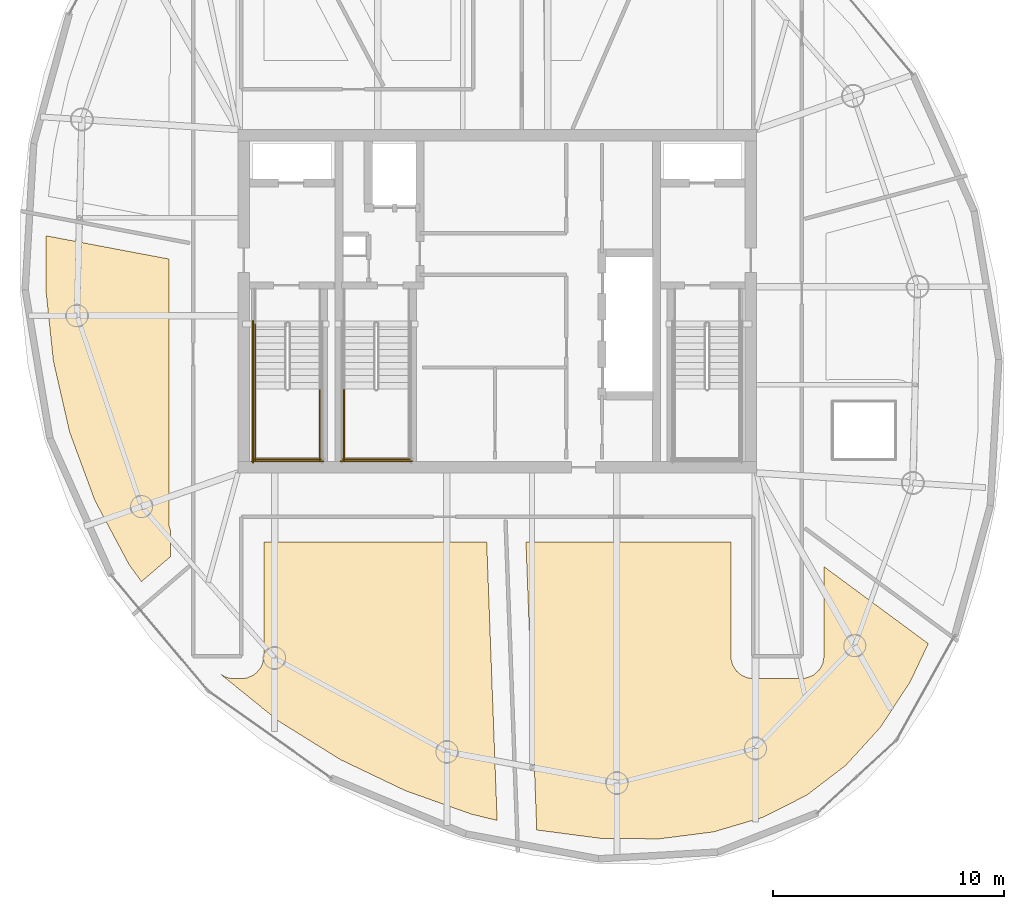
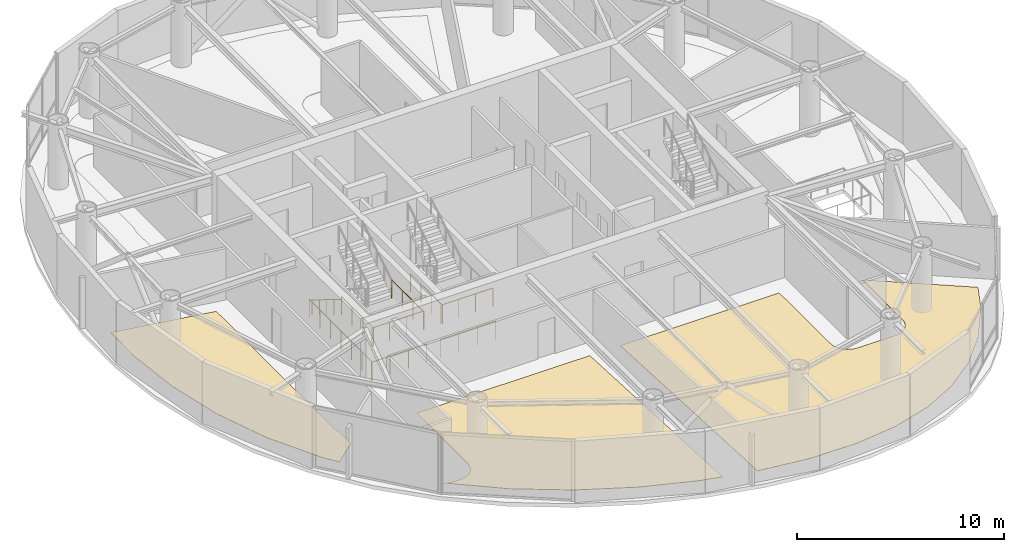
# One storey, part 15 of 17: 9 railings, 3 coverings.
"""IFC4 building model written with IfcOpenShell, lengths in metres."""

from ifc_helpers import new_model, si_unit, direction, frame, origin, origin_2d, place, context, subcontext, project, spatial, polyline, circle, outline, extrude, material, layer, layer_set, type_object, element, save


model = new_model("IFC4")

# Units and contexts
model_context = context("Model", 3, precision=1e-05, world=origin(), true_north=direction((0.0, 1.0)))
body_context = subcontext(model_context, "Body", "Model", "MODEL_VIEW")
ifc_project = project(units=[si_unit("LENGTHUNIT", "METRE"), si_unit("AREAUNIT", "SQUARE_METRE"), si_unit("VOLUMEUNIT", "CUBIC_METRE"), si_unit("PLANEANGLEUNIT", "RADIAN"), si_unit("MASSUNIT", "GRAM", prefix="KILO")], contexts=[model_context])

# Site, building, storey
site_placement = place(None, origin())
site = spatial("IfcSite", under=ifc_project, at=site_placement, CompositionType="ELEMENT")
building_placement = place(site_placement, origin())
building = spatial("IfcBuilding", under=site, at=building_placement, Name="Bramvorn Convention Spire", CompositionType="ELEMENT")
storey_placement = place(building_placement, frame((0.0, 0.0, 265.14990234375)))
storey = spatial("IfcBuildingStorey", under=building, at=storey_placement, Name="L67", CompositionType="ELEMENT", Elevation=265.14990234375)

# Coverings
ifc_material_1 = material(Name="Honed Dolomitic Limestone Terrazzo Flooring", Category="masonry")
ifc_layer = layer(ifc_material_1, 0.02490234375)
ifc_layer_set = layer_set([ifc_layer], Name="Honed Dolomitic Limestone Terrazzo Flooring - FLR-TERRAZZO-25")
covering_type = type_object("IfcCoveringType", Name="FLR-TERRAZZO-25", PredefinedType="FLOORING", material=ifc_layer_set)
covering_1_placement = place(storey_placement, origin())
element("IfcCovering", 1, at=covering_1_placement, inside=storey, type_object=covering_type, Name="L67 C-Suite Meeting Boardroom 4 raised floor finish", PredefinedType="FLOORING", context=body_context, shape_type="SweptSolid", body=[
    extrude(outline(polyline([(18.4111328125, 26.5419921875), (18.74169921875, 23.401123046875), (19.447265625, 20.316162109375), (20.540771484375, 17.356201171875), (22.021484375, 14.580322265625), (22.5625, 13.83642578125), (23.830078125, 14.927001953125), (23.830078125, 16.04248046875), (23.766357421875, 16.234130859375), (23.75, 16.39990234375), (23.75, 27.831298828125), (18.425048828125, 28.838623046875), (18.4111328125, 26.5419921875)])), origin(), (0.0, 0.0, 1.0), 0.025146484375),
])
covering_2_placement = place(storey_placement, origin())
element("IfcCovering", 2, at=covering_2_placement, inside=storey, type_object=covering_type, Name="L67 Managing Director Office 5 raised floor finish", PredefinedType="FLOORING", context=body_context, shape_type="SweptSolid", body=[
    extrude(outline(polyline([(28.523681640625, 7.777099609375), (31.20458984375, 6.107666015625), (34.020263671875, 4.76171875), (36.88671875, 3.744384765625), (37.9921875, 3.4765625), (37.540283203125, 15.550048828125), (27.8701171875, 15.550048828125), (27.8701171875, 10.60009765625), (27.815185546875, 10.27880859375), (27.728759765625, 10.09619140625), (27.5556640625, 9.88525390625), (27.3935546875, 9.76513671875), (27.141357421875, 9.66064453125), (26.941650390625, 9.631103515625), (26.426513671875, 9.640380859375), (26.22607421875, 9.69189453125), (26.01318359375, 9.8046875), (28.523681640625, 7.777099609375)])), origin(), (0.0, 0.0, 1.0), 0.025146484375),
])
covering_3_placement = place(storey_placement, origin())
element("IfcCovering", 3, at=covering_3_placement, inside=storey, type_object=covering_type, Name="L67 Reception Gallery 6 raised floor finish", PredefinedType="FLOORING", context=body_context, shape_type="SweptSolid", body=[
    extrude(outline(polyline([(45.018310546875, 2.67529296875), (47.377685546875, 2.977783203125), (49.510986328125, 3.608154296875), (51.41845703125, 4.567626953125), (53.114990234375, 5.864501953125), (54.613525390625, 7.508056640625), (55.91650390625, 9.498291015625), (56.69580078125, 11.1455078125), (52.169921875, 14.485595703125), (52.1689453125, 10.558349609375), (52.114990234375, 10.27880859375), (51.982421875, 10.027099609375), (51.693603515625, 9.76513671875), (51.33642578125, 9.639892578125), (49.10009765625, 9.6298828125), (48.858642578125, 9.66064453125), (48.59619140625, 9.771240234375), (48.37744140625, 9.952880859375), (48.220703125, 10.190673828125), (48.139892578125, 10.46337890625), (48.1298828125, 15.550048828125), (39.24169921875, 15.550048828125), (39.708984375, 3.060546875), (42.452392578125, 2.701416015625), (45.018310546875, 2.67529296875)])), origin(), (0.0, 0.0, 1.0), 0.025146484375),
])

# Railings
ifc_material_2 = material(Name="Painted Steel Balustrade & Guardrail", Category="steel")
railing_type_1 = type_object("IfcRailingType", Name="RL-STAIR-GUARD-1100", PredefinedType="GUARDRAIL", material=ifc_material_2)
for number, where, name in (
    (4, (27.5, 22.199951171875, 1.925048828125), "L67 ST1 stair guard 3"),
    (5, (30.300048828125, 22.199951171875, 1.925048828125), "L67 ST1 stair guard 4"),
):
    element("IfcRailing", number, at=place(storey_placement, frame(where)), inside=storey, type_object=railing_type_1, Name=name, PredefinedType="GUARDRAIL", context=body_context, shape_type="SweptSolid", body=[
        extrude(circle(Radius=0.02392578125, at=origin_2d()), frame((0.0, 0.0, 1.076171875), z_axis=(0.0, -1.0, 0.0), x_axis=(1.0, 0.0, 0.0)), (0.0, 0.0, 1.0), 3.099853515625),
        extrude(circle(Radius=0.02099609375, at=origin_2d()), origin(), (0.0, 0.0, 1.0), 1.052001953125),
        extrude(circle(Radius=0.02099609375, at=origin_2d()), frame((0.0, -1.033203125, 0.0)), (0.0, 0.0, 1.0), 1.052001953125),
        extrude(circle(Radius=0.02099609375, at=origin_2d()), frame((0.0, -2.066650390625, 0.0)), (0.0, 0.0, 1.0), 1.052001953125),
        extrude(circle(Radius=0.02099609375, at=origin_2d()), frame((0.0, -3.099853515625, 0.0)), (0.0, 0.0, 1.0), 1.052001953125),
    ])
railing_1_placement = place(storey_placement, frame((27.449951171875, 19.14990234375, 1.925048828125)))
element("IfcRailing", 6, at=railing_1_placement, inside=storey, type_object=railing_type_1, Name="L67 ST1 stair guard 5", PredefinedType="GUARDRAIL", context=body_context, shape_type="SweptSolid", body=[
    extrude(circle(Radius=0.02392578125, at=origin_2d()), frame((0.0, 0.0, 1.076171875), z_axis=(1.0, 0.0, 0.0), x_axis=(0.0, 1.0, 0.0)), (0.0, 0.0, 1.0), 2.900146484375),
    extrude(circle(Radius=0.02099609375, at=origin_2d()), origin(), (0.0, 0.0, 1.0), 1.052001953125),
    extrude(circle(Radius=0.02099609375, at=origin_2d()), frame((0.966796875, 0.0, 0.0)), (0.0, 0.0, 1.0), 1.052001953125),
    extrude(circle(Radius=0.02099609375, at=origin_2d()), frame((1.933349609375, 0.0, 0.0)), (0.0, 0.0, 1.0), 1.052001953125),
    extrude(circle(Radius=0.02099609375, at=origin_2d()), frame((2.900146484375, 0.0, 0.0)), (0.0, 0.0, 1.0), 1.052001953125),
])
railing_2_placement = place(storey_placement, frame((27.39990234375, 25.14990234375, 0.0)))
element("IfcRailing", 7, at=railing_2_placement, inside=storey, type_object=railing_type_1, Name="L67 ST1 stair guard 10", PredefinedType="GUARDRAIL", context=body_context, shape_type="SweptSolid", body=[
    extrude(circle(Radius=0.02392578125, at=origin_2d()), frame((0.0, 0.0, 1.076171875), z_axis=(0.0, -1.0, 0.0), x_axis=(1.0, 0.0, 0.0)), (0.0, 0.0, 1.0), 6.14990234375),
    extrude(circle(Radius=0.02099609375, at=origin_2d()), origin(), (0.0, 0.0, 1.0), 1.052001953125),
    extrude(circle(Radius=0.02099609375, at=origin_2d()), frame((0.0, -1.02490234375, 0.0)), (0.0, 0.0, 1.0), 1.052001953125),
    extrude(circle(Radius=0.02099609375, at=origin_2d()), frame((0.0, -2.050048828125, 0.0)), (0.0, 0.0, 1.0), 1.052001953125),
    extrude(circle(Radius=0.02099609375, at=origin_2d()), frame((0.0, -3.074951171875, 0.0)), (0.0, 0.0, 1.0), 1.052001953125),
    extrude(circle(Radius=0.02099609375, at=origin_2d()), frame((0.0, -4.099853515625, 0.0)), (0.0, 0.0, 1.0), 1.052001953125),
    extrude(circle(Radius=0.02099609375, at=origin_2d()), frame((0.0, -5.125, 0.0)), (0.0, 0.0, 1.0), 1.052001953125),
    extrude(circle(Radius=0.02099609375, at=origin_2d()), frame((0.0, -6.14990234375, 0.0)), (0.0, 0.0, 1.0), 1.052001953125),
])
railing_3_placement = place(storey_placement, frame((27.35009765625, 19.050048828125, 0.0)))
element("IfcRailing", 8, at=railing_3_placement, inside=storey, type_object=railing_type_1, Name="L67 ST1 stair guard 12", PredefinedType="GUARDRAIL", context=body_context, shape_type="SweptSolid", body=[
    extrude(circle(Radius=0.02392578125, at=origin_2d()), frame((0.0, 0.0, 1.076171875), z_axis=(1.0, 0.0, 0.0), x_axis=(0.0, 1.0, 0.0)), (0.0, 0.0, 1.0), 3.099853515625),
    extrude(circle(Radius=0.02099609375, at=origin_2d()), origin(), (0.0, 0.0, 1.0), 1.052001953125),
    extrude(circle(Radius=0.02099609375, at=origin_2d()), frame((1.033203125, 0.0, 0.0)), (0.0, 0.0, 1.0), 1.052001953125),
    extrude(circle(Radius=0.02099609375, at=origin_2d()), frame((2.066650390625, 0.0, 0.0)), (0.0, 0.0, 1.0), 1.052001953125),
    extrude(circle(Radius=0.02099609375, at=origin_2d()), frame((3.099853515625, 0.0, 0.0)), (0.0, 0.0, 1.0), 1.052001953125),
])
railing_4_placement = place(storey_placement, frame((31.35009765625, 22.199951171875, 1.925048828125)))
element("IfcRailing", 9, at=railing_4_placement, inside=storey, type_object=railing_type_1, Name="L67 ST3 stair guard 3", PredefinedType="GUARDRAIL", context=body_context, shape_type="SweptSolid", body=[
    extrude(circle(Radius=0.02392578125, at=origin_2d()), frame((0.0, 0.0, 1.076171875), z_axis=(0.0, -1.0, 0.0), x_axis=(1.0, 0.0, 0.0)), (0.0, 0.0, 1.0), 3.099853515625),
    extrude(circle(Radius=0.02099609375, at=origin_2d()), origin(), (0.0, 0.0, 1.0), 1.052001953125),
    extrude(circle(Radius=0.02099609375, at=origin_2d()), frame((0.0, -1.033203125, 0.0)), (0.0, 0.0, 1.0), 1.052001953125),
    extrude(circle(Radius=0.02099609375, at=origin_2d()), frame((0.0, -2.066650390625, 0.0)), (0.0, 0.0, 1.0), 1.052001953125),
    extrude(circle(Radius=0.02099609375, at=origin_2d()), frame((0.0, -3.099853515625, 0.0)), (0.0, 0.0, 1.0), 1.052001953125),
])
railing_5_placement = place(storey_placement, frame((31.300048828125, 19.14990234375, 1.925048828125)))
element("IfcRailing", 10, at=railing_5_placement, inside=storey, type_object=railing_type_1, Name="L67 ST3 stair guard 5", PredefinedType="GUARDRAIL", context=body_context, shape_type="SweptSolid", body=[
    extrude(circle(Radius=0.02392578125, at=origin_2d()), frame((0.0, 0.0, 1.076171875), z_axis=(1.0, 0.0, 0.0), x_axis=(0.0, 1.0, 0.0)), (0.0, 0.0, 1.0), 2.89990234375),
    extrude(circle(Radius=0.02099609375, at=origin_2d()), origin(), (0.0, 0.0, 1.0), 1.052001953125),
    extrude(circle(Radius=0.02099609375, at=origin_2d()), frame((0.966552734375, 0.0, 0.0)), (0.0, 0.0, 1.0), 1.052001953125),
    extrude(circle(Radius=0.02099609375, at=origin_2d()), frame((1.933349609375, 0.0, 0.0)), (0.0, 0.0, 1.0), 1.052001953125),
    extrude(circle(Radius=0.02099609375, at=origin_2d()), frame((2.89990234375, 0.0, 0.0)), (0.0, 0.0, 1.0), 1.052001953125),
])
railing_6_placement = place(storey_placement, frame((31.199951171875, 19.050048828125, 0.0)))
element("IfcRailing", 11, at=railing_6_placement, inside=storey, type_object=railing_type_1, Name="L67 ST3 stair guard 12", PredefinedType="GUARDRAIL", context=body_context, shape_type="SweptSolid", body=[
    extrude(circle(Radius=0.02392578125, at=origin_2d()), frame((0.0, 0.0, 1.076171875), z_axis=(1.0, 0.0, 0.0), x_axis=(0.0, 1.0, 0.0)), (0.0, 0.0, 1.0), 3.10009765625),
    extrude(circle(Radius=0.02099609375, at=origin_2d()), origin(), (0.0, 0.0, 1.0), 1.052001953125),
    extrude(circle(Radius=0.02099609375, at=origin_2d()), frame((1.033447265625, 0.0, 0.0)), (0.0, 0.0, 1.0), 1.052001953125),
    extrude(circle(Radius=0.02099609375, at=origin_2d()), frame((2.066650390625, 0.0, 0.0)), (0.0, 0.0, 1.0), 1.052001953125),
    extrude(circle(Radius=0.02099609375, at=origin_2d()), frame((3.10009765625, 0.0, 0.0)), (0.0, 0.0, 1.0), 1.052001953125),
])
ifc_material_3 = material(Name="Brushed Bronze Tubular Handrail", Category="aluminium")
railing_type_2 = type_object("IfcRailingType", Name="RL-STAIR-HR-920", PredefinedType="HANDRAIL", material=ifc_material_3)
railing_7_placement = place(storey_placement, frame((27.5, 25.050048828125, 0.175048828125)))
element("IfcRailing", 12, at=railing_7_placement, inside=storey, type_object=railing_type_2, Name="L67 ST1 stair handrail 1", PredefinedType="HANDRAIL", context=body_context, shape_type="SweptSolid", body=[
    extrude(circle(Radius=0.02392578125, at=origin_2d()), frame((0.0, 0.0, 0.89599609375), z_axis=(0.0, -0.852179220489, 0.52325001306), x_axis=(1.0, 0.0, 0.0)), (0.0, 0.0, 1.0), 3.344482421875),
    extrude(circle(Radius=0.02099609375, at=origin_2d()), origin(), (0.0, 0.0, 1.0), 0.871826171875),
    extrude(circle(Radius=0.02099609375, at=origin_2d()), frame((0.0, -0.71240234375, 0.4375)), (0.0, 0.0, 1.0), 0.871826171875),
    extrude(circle(Radius=0.02099609375, at=origin_2d()), frame((0.0, -1.425048828125, 0.875)), (0.0, 0.0, 1.0), 0.871826171875),
    extrude(circle(Radius=0.02099609375, at=origin_2d()), frame((0.0, -2.1376953125, 1.3125)), (0.0, 0.0, 1.0), 0.871826171875),
    extrude(circle(Radius=0.02099609375, at=origin_2d()), frame((0.0, -2.85009765625, 1.75)), (0.0, 0.0, 1.0), 0.871826171875),
])

save(model, "model.ifc")
